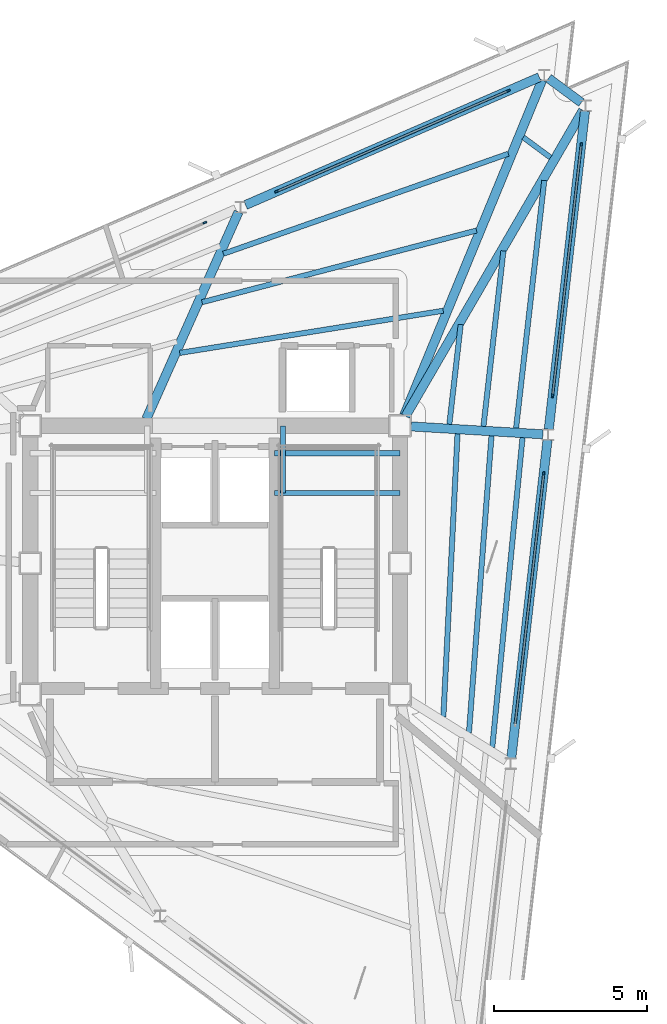
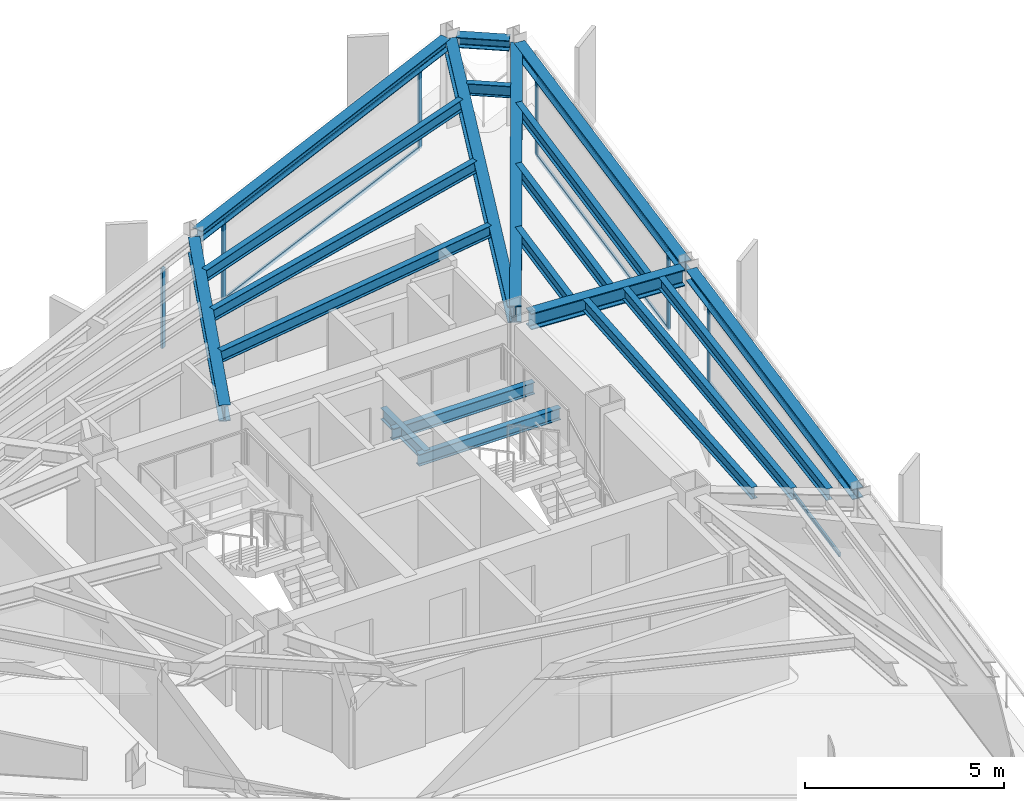
# One storey, part 4 of 9: 21 beams, 12 members, 4 elements without a shape of their own.
"""IFC4 building model written with IfcOpenShell, lengths in metres."""

from ifc_helpers import new_model, si_unit, direction, frame, origin, origin_2d, place, context, subcontext, project, spatial, rectangle, i_section, extrude, material, layer, layer_set, material_profile, profile_set, type_object, element, aggregate, save


model = new_model("IFC4")

# Units and contexts
model_context = context("Model", 3, precision=1e-05, world=origin(), true_north=direction((0.0, 1.0)))
body_context = subcontext(model_context, "Body", "Model", "MODEL_VIEW")
ifc_project = project(units=[si_unit("LENGTHUNIT", "METRE"), si_unit("AREAUNIT", "SQUARE_METRE"), si_unit("VOLUMEUNIT", "CUBIC_METRE"), si_unit("PLANEANGLEUNIT", "RADIAN"), si_unit("MASSUNIT", "GRAM", prefix="KILO")], contexts=[model_context])

# Site, building, storey
site_placement = place(None, origin())
site = spatial("IfcSite", under=ifc_project, at=site_placement, CompositionType="ELEMENT")
building_placement = place(site_placement, origin())
building = spatial("IfcBuilding", under=site, at=building_placement, Name="Rocaltana Carrier Exchange", CompositionType="ELEMENT")
storey_placement = place(building_placement, frame((0.0, 0.0, 233.1201171875)))
storey = spatial("IfcBuildingStorey", under=building, at=storey_placement, Name="L74", CompositionType="ELEMENT", Elevation=233.1201171875)

# Curtain wall, member
ifc_material_1 = material(Name="Aluminium 6063-T6", Category="aluminium")
ifc_layer = layer(ifc_material_1, 0.1201171875)
ifc_layer_set = layer_set([ifc_layer], Name="Aluminium 6063-T6")
curtain_wall_type = type_object("IfcCurtainWallType", Name="High-Altitude Thermal Curtain Wall CW-05", PredefinedType="NOTDEFINED", material=ifc_layer_set)
curtain_wall_1_placement = place(storey_placement, origin())
curtain_wall_1 = element("IfcCurtainWall", 1, at=curtain_wall_1_placement, inside=storey, type_object=curtain_wall_type, Name="L74 CW-05 Run CW-L74-F1S2", PredefinedType="NOTDEFINED")
ifc_material_2 = material(Name="Aluminium 6063-T6", Category="aluminium")
ifc_material_profile_1 = material_profile(ifc_material_2, rectangle(XDim=0.06005859375, YDim=0.1201171875, at=origin_2d()), Name="AL-60X120")
ifc_profile_set_1 = profile_set([ifc_material_profile_1], Name="Aluminium 6063-T6")
member_type_1 = type_object("IfcMemberType", Name="CW-05 Mullion AL-60X120", PredefinedType="MULLION", material=ifc_profile_set_1)
member_1_placement = place(storey_placement, frame((10.756591796875, 2.93798828125, 0.0), z_axis=(0.0, 0.0, 1.0), x_axis=(-0.993571216652, 0.113208822277, 0.0)))
member_1 = element("IfcMember", 2, at=member_1_placement, type_object=member_type_1, Name="CW-05 mullion 2", PredefinedType="MULLION", context=body_context, shape_type="SweptSolid", body=[
    extrude(rectangle(XDim=0.06005859375, YDim=0.1201171875, at=origin_2d()), origin(), (0.0, 0.0, 1.0), 2.447998046875),
])

# Curtain wall, members
curtain_wall_2_placement = place(storey_placement, origin())
curtain_wall_2 = element("IfcCurtainWall", 3, at=curtain_wall_2_placement, inside=storey, type_object=curtain_wall_type, Name="L74 CW-05 Run CW-L74-F1S3", PredefinedType="NOTDEFINED")
member_2_placement = place(storey_placement, frame((11.04638671875, 5.4814453125, 0.0), z_axis=(0.0, 0.0, 1.0), x_axis=(-0.993572566365, 0.113196975964, 0.0)))
member_2 = element("IfcMember", 4, at=member_2_placement, type_object=member_type_1, Name="CW-05 mullion 1", PredefinedType="MULLION", context=body_context, shape_type="SweptSolid", body=[
    extrude(rectangle(XDim=0.06005859375, YDim=0.1201171875, at=origin_2d()), origin(), (0.0, 0.0, 1.0), 2.447998046875),
])
member_3_placement = place(storey_placement, frame((11.98291015625, 13.70166015625, 0.0), z_axis=(0.0, 0.0, 1.0), x_axis=(-0.993572566365, 0.113196975964, 0.0)))
member_3 = element("IfcMember", 5, at=member_3_placement, type_object=member_type_1, Name="CW-05 mullion 2", PredefinedType="MULLION", context=body_context, shape_type="SweptSolid", body=[
    extrude(rectangle(XDim=0.06005859375, YDim=0.1201171875, at=origin_2d()), origin(), (0.0, 0.0, 1.0), 2.447998046875),
])

curtain_wall_3_placement = place(storey_placement, origin())
curtain_wall_3 = element("IfcCurtainWall", 6, at=curtain_wall_3_placement, inside=storey, type_object=curtain_wall_type, Name="L74 CW-05 Run CW-L74-F2S1", PredefinedType="NOTDEFINED")
member_4_placement = place(storey_placement, frame((9.599609375, 15.46533203125, 0.0), z_axis=(0.0, 0.0, 1.0), x_axis=(0.39875682637, -0.917056701313, 0.0)))
member_4 = element("IfcMember", 7, at=member_4_placement, type_object=member_type_1, Name="CW-05 mullion 1", PredefinedType="MULLION", context=body_context, shape_type="SweptSolid", body=[
    extrude(rectangle(XDim=0.06005859375, YDim=0.1201171875, at=origin_2d()), origin(), (0.0, 0.0, 1.0), 2.447998046875),
])
member_5_placement = place(storey_placement, frame((2.01220703125, 12.166259765625, 0.0), z_axis=(0.0, 0.0, 1.0), x_axis=(0.39875682637, -0.917056701313, 0.0)))
member_5 = element("IfcMember", 8, at=member_5_placement, type_object=member_type_1, Name="CW-05 mullion 2", PredefinedType="MULLION", context=body_context, shape_type="SweptSolid", body=[
    extrude(rectangle(XDim=0.06005859375, YDim=0.1201171875, at=origin_2d()), origin(), (0.0, 0.0, 1.0), 2.447998046875),
])

# Curtain wall, member
curtain_wall_4_placement = place(storey_placement, origin())
curtain_wall_4 = element("IfcCurtainWall", 9, at=curtain_wall_4_placement, inside=storey, type_object=curtain_wall_type, Name="L74 CW-05 Run CW-L74-F2S2", PredefinedType="NOTDEFINED")
member_6_placement = place(storey_placement, frame((-0.335205078125, 11.1455078125, 0.0), z_axis=(0.0, 0.0, 1.0), x_axis=(0.398752438254, -0.917058609352, 0.0)))
member_6 = element("IfcMember", 10, at=member_6_placement, type_object=member_type_1, Name="CW-05 mullion 1", PredefinedType="MULLION", context=body_context, shape_type="SweptSolid", body=[
    extrude(rectangle(XDim=0.06005859375, YDim=0.1201171875, at=origin_2d()), origin(), (0.0, 0.0, 1.0), 2.447998046875),
])
aggregate(curtain_wall_4, [member_6])

# Member
ifc_material_3 = material(Name="Aluminium 6063-T6", Category="aluminium")
ifc_material_profile_2 = material_profile(ifc_material_3, rectangle(XDim=0.06005859375, YDim=0.1201171875, at=origin_2d()), Name="AL-60X120")
ifc_profile_set_2 = profile_set([ifc_material_profile_2], Name="Aluminium 6063-T6")
member_type_2 = type_object("IfcMemberType", Name="CW-05 Transom AL-60X120", PredefinedType="USERDEFINED", material=ifc_profile_set_2)
member_7_placement = place(storey_placement, frame((9.8232421875, -5.25244140625, 0.02978515625), z_axis=(0.113220478228, 0.993569888488, 0.0), x_axis=(-0.993569888488, 0.113220478228, 0.0)))
member_7 = element("IfcMember", 11, at=member_7_placement, type_object=member_type_2, Name="CW-05 transom 1.1", ObjectType="TRANSOM", PredefinedType="USERDEFINED", context=body_context, shape_type="SweptSolid", body=[
    extrude(rectangle(XDim=0.06005859375, YDim=0.1201171875, at=origin_2d()), origin(), (0.0, 0.0, 1.0), 8.21337890625),
])

member_8_placement = place(storey_placement, frame((9.8232421875, -5.25244140625, 2.41796875), z_axis=(0.113220478228, 0.993569888488, 0.0), x_axis=(-0.993569888488, 0.113220478228, 0.0)))
member_8 = element("IfcMember", 12, at=member_8_placement, type_object=member_type_2, Name="CW-05 transom 1.2", ObjectType="TRANSOM", PredefinedType="USERDEFINED", context=body_context, shape_type="SweptSolid", body=[
    extrude(rectangle(XDim=0.06005859375, YDim=0.1201171875, at=origin_2d()), origin(), (0.0, 0.0, 1.0), 8.21337890625),
])

aggregate(curtain_wall_1, [member_1, member_7, member_8])

member_9_placement = place(storey_placement, frame((11.0498046875, 5.51123046875, 0.02978515625), z_axis=(0.113191134651, 0.993573231844, 0.0), x_axis=(-0.993573231844, 0.113191134651, 0.0)))
member_9 = element("IfcMember", 13, at=member_9_placement, type_object=member_type_2, Name="CW-05 transom 1.1", ObjectType="TRANSOM", PredefinedType="USERDEFINED", context=body_context, shape_type="SweptSolid", body=[
    extrude(rectangle(XDim=0.06005859375, YDim=0.1201171875, at=origin_2d()), origin(), (0.0, 0.0, 1.0), 8.21337890625),
])

member_10_placement = place(storey_placement, frame((11.0498046875, 5.51123046875, 2.41796875), z_axis=(0.113191134651, 0.993573231844, 0.0), x_axis=(-0.993573231844, 0.113191134651, 0.0)))
member_10 = element("IfcMember", 14, at=member_10_placement, type_object=member_type_2, Name="CW-05 transom 1.2", ObjectType="TRANSOM", PredefinedType="USERDEFINED", context=body_context, shape_type="SweptSolid", body=[
    extrude(rectangle(XDim=0.06005859375, YDim=0.1201171875, at=origin_2d()), origin(), (0.0, 0.0, 1.0), 8.21337890625),
])

aggregate(curtain_wall_2, [member_2, member_3, member_9, member_10])

member_11_placement = place(storey_placement, frame((9.572021484375, 15.453369140625, 0.02978515625), z_axis=(-0.917058241688, -0.398753283814, 0.0), x_axis=(0.398753283814, -0.917058241688, 0.0)))
member_11 = element("IfcMember", 15, at=member_11_placement, type_object=member_type_2, Name="CW-05 transom 1.1", ObjectType="TRANSOM", PredefinedType="USERDEFINED", context=body_context, shape_type="SweptSolid", body=[
    extrude(rectangle(XDim=0.06005859375, YDim=0.1201171875, at=origin_2d()), origin(), (0.0, 0.0, 1.0), 8.21337890625),
])

member_12_placement = place(storey_placement, frame((9.572021484375, 15.453369140625, 2.41796875), z_axis=(-0.917058241688, -0.398753283814, 0.0), x_axis=(0.398753283814, -0.917058241688, 0.0)))
member_12 = element("IfcMember", 16, at=member_12_placement, type_object=member_type_2, Name="CW-05 transom 1.2", ObjectType="TRANSOM", PredefinedType="USERDEFINED", context=body_context, shape_type="SweptSolid", body=[
    extrude(rectangle(XDim=0.06005859375, YDim=0.1201171875, at=origin_2d()), origin(), (0.0, 0.0, 1.0), 8.21337890625),
])

aggregate(curtain_wall_3, [member_4, member_5, member_11, member_12])

# Beams
ifc_material_4 = material(Name="Steel S355", Category="steel")
ifc_material_profile_3 = material_profile(ifc_material_4, i_section(OverallWidth=0.172119140625, OverallDepth=0.35791015625, WebThickness=0.0078125, FlangeThickness=0.01318359375, FilletRadius=0.011962890625, at=origin_2d()), Name="W14X38")
ifc_profile_set_3 = profile_set([ifc_material_profile_3], Name="Steel S355")
beam_type_1 = type_object("IfcBeamType", Name="Floor Joist W14X38", PredefinedType="JOIST", material=ifc_profile_set_3)
for number, where, z_axis, x_axis, name in (
    (17, (1.93994140625, 2.300048828125, 1.140869140625), (1.0, 0.0, 0.0), (0.0, 1.0, 0.0), "L74 ST-2 Landing Carrier 1"),
    (18, (1.93994140625, 3.60009765625, 1.140869140625), (1.0, 0.0, 0.0), (0.0, 1.0, 0.0), "L74 ST-2 Landing Carrier 2"),
):
    element("IfcBeam", number, at=place(storey_placement, frame(where, z_axis=z_axis, x_axis=x_axis)), inside=storey, type_object=beam_type_1, Name=name, PredefinedType="JOIST", context=body_context, shape_type="SweptSolid", body=[
        extrude(i_section(OverallWidth=0.172119140625, OverallDepth=0.35791015625, WebThickness=0.0078125, FlangeThickness=0.01318359375, FilletRadius=0.011962890625, at=origin_2d()), origin(), (0.0, 0.0, 1.0), 4.110107421875),
    ])
beam_1_placement = place(storey_placement, frame((2.219970703125, 2.300048828125, 1.140869140625), z_axis=(0.0, 1.0, 0.0), x_axis=(-1.0, 0.0, 0.0)))
element("IfcBeam", 19, at=beam_1_placement, inside=storey, type_object=beam_type_1, Name="L74 ST-2 Landing Cross Trimmer", PredefinedType="JOIST", context=body_context, shape_type="SweptSolid", body=[
    extrude(i_section(OverallWidth=0.172119140625, OverallDepth=0.35791015625, WebThickness=0.0078125, FlangeThickness=0.01318359375, FilletRadius=0.011962890625, at=origin_2d()), origin(), (0.0, 0.0, 1.0), 2.199951171875),
])
beam_2_placement = place(storey_placement, frame((7.470947265625, -5.03515625, 2.618896484375), z_axis=(0.049933684641, 0.998752535485, 0.0), x_axis=(-0.998752535485, 0.049933684641, 0.0)))
element("IfcBeam", 20, at=beam_2_placement, inside=storey, type_object=beam_type_1, Name="FJ-L74-02-1", PredefinedType="JOIST", context=body_context, shape_type="SweptSolid", body=[
    extrude(i_section(OverallWidth=0.172119140625, OverallDepth=0.35791015625, WebThickness=0.0078125, FlangeThickness=0.01318359375, FilletRadius=0.011962890625, at=origin_2d()), origin(), (0.0, 0.0, 1.0), 9.28955078125),
])
beam_3_placement = place(storey_placement, frame((8.308349609375, -5.553955078125, 2.618896484375), z_axis=(0.075705441131, 0.997130225288, 0.0), x_axis=(-0.997130225288, 0.075705441131, 0.0)))
element("IfcBeam", 21, at=beam_3_placement, inside=storey, type_object=beam_type_1, Name="FJ-L74-02-2", PredefinedType="JOIST", context=body_context, shape_type="SweptSolid", body=[
    extrude(i_section(OverallWidth=0.172119140625, OverallDepth=0.35791015625, WebThickness=0.0078125, FlangeThickness=0.01318359375, FilletRadius=0.011962890625, at=origin_2d()), origin(), (0.0, 0.0, 1.0), 9.758544921875),
])
beam_4_placement = place(storey_placement, frame((9.07275390625, -6.027587890625, 2.618896484375), z_axis=(0.097138741589, 0.995270850011, 0.0), x_axis=(-0.995270850011, 0.097138741589, 0.0)))
element("IfcBeam", 22, at=beam_4_placement, inside=storey, type_object=beam_type_1, Name="FJ-L74-02-3", PredefinedType="JOIST", context=body_context, shape_type="SweptSolid", body=[
    extrude(i_section(OverallWidth=0.172119140625, OverallDepth=0.35791015625, WebThickness=0.0078125, FlangeThickness=0.01318359375, FilletRadius=0.011962890625, at=origin_2d()), origin(), (0.0, 0.0, 1.0), 10.19140625),
])
beam_5_placement = place(storey_placement, frame((7.667236328125, 4.54736328125, 2.618896484375), z_axis=(0.113203016028, 0.993571878206, 0.0), x_axis=(-0.993571878206, 0.113203016028, 0.0)))
element("IfcBeam", 23, at=beam_5_placement, inside=storey, type_object=beam_type_1, Name="FJ-L74-03-1", PredefinedType="JOIST", context=body_context, shape_type="SweptSolid", body=[
    extrude(i_section(OverallWidth=0.172119140625, OverallDepth=0.35791015625, WebThickness=0.0078125, FlangeThickness=0.01318359375, FilletRadius=0.011962890625, at=origin_2d()), origin(), (0.0, 0.0, 1.0), 3.286865234375),
])
beam_6_placement = place(storey_placement, frame((8.783203125, 4.48046875, 2.618896484375), z_axis=(0.113185542157, 0.993573868943, 0.0), x_axis=(-0.993573868943, 0.113185542157, 0.0)))
element("IfcBeam", 24, at=beam_6_placement, inside=storey, type_object=beam_type_1, Name="FJ-L74-03-2", PredefinedType="JOIST", context=body_context, shape_type="SweptSolid", body=[
    extrude(i_section(OverallWidth=0.172119140625, OverallDepth=0.35791015625, WebThickness=0.0078125, FlangeThickness=0.01318359375, FilletRadius=0.011962890625, at=origin_2d()), origin(), (0.0, 0.0, 1.0), 5.778564453125),
])
beam_7_placement = place(storey_placement, frame((9.850341796875, 4.41650390625, 2.618896484375), z_axis=(0.113215051584, 0.993570506856, 0.0), x_axis=(-0.993570506856, 0.113215051584, 0.0)))
element("IfcBeam", 25, at=beam_7_placement, inside=storey, type_object=beam_type_1, Name="FJ-L74-03-3", PredefinedType="JOIST", context=body_context, shape_type="SweptSolid", body=[
    extrude(i_section(OverallWidth=0.172119140625, OverallDepth=0.35791015625, WebThickness=0.0078125, FlangeThickness=0.01318359375, FilletRadius=0.011962890625, at=origin_2d()), origin(), (0.0, 0.0, 1.0), 8.162109375),
])
beam_8_placement = place(storey_placement, frame((10.978759765625, 13.278564453125, 2.618896484375), z_axis=(-0.803783025316, 0.594922556484, 0.0), x_axis=(-0.594922556484, -0.803783025316, 0.0)))
element("IfcBeam", 26, at=beam_8_placement, inside=storey, type_object=beam_type_1, Name="FJ-L74-04-3", PredefinedType="JOIST", context=body_context, shape_type="SweptSolid", body=[
    extrude(i_section(OverallWidth=0.172119140625, OverallDepth=0.35791015625, WebThickness=0.0078125, FlangeThickness=0.01318359375, FilletRadius=0.011962890625, at=origin_2d()), origin(), (0.0, 0.0, 1.0), 1.1103515625),
])
beam_9_placement = place(storey_placement, frame((7.466552734375, 8.26416015625, 2.618896484375), z_axis=(-0.987434349957, -0.158029758352, 0.0), x_axis=(0.158029758352, -0.987434349957, 0.0)))
element("IfcBeam", 27, at=beam_9_placement, inside=storey, type_object=beam_type_1, Name="FJ-L74-05-1", PredefinedType="JOIST", context=body_context, shape_type="SweptSolid", body=[
    extrude(i_section(OverallWidth=0.172119140625, OverallDepth=0.35791015625, WebThickness=0.0078125, FlangeThickness=0.01318359375, FilletRadius=0.011962890625, at=origin_2d()), origin(), (0.0, 0.0, 1.0), 8.731689453125),
])
beam_10_placement = place(storey_placement, frame((8.5556640625, 10.889892578125, 2.618896484375), z_axis=(-0.967527830679, -0.252764508708, 0.0), x_axis=(0.252764508708, -0.967527830679, 0.0)))
element("IfcBeam", 28, at=beam_10_placement, inside=storey, type_object=beam_type_1, Name="FJ-L74-05-2", PredefinedType="JOIST", context=body_context, shape_type="SweptSolid", body=[
    extrude(i_section(OverallWidth=0.172119140625, OverallDepth=0.35791015625, WebThickness=0.0078125, FlangeThickness=0.01318359375, FilletRadius=0.011962890625, at=origin_2d()), origin(), (0.0, 0.0, 1.0), 9.2822265625),
])
beam_11_placement = place(storey_placement, frame((9.598388671875, 13.4033203125, 2.618896484375), z_axis=(-0.943534028817, -0.331275620087, 0.0), x_axis=(0.331275620087, -0.943534028817, 0.0)))
element("IfcBeam", 29, at=beam_11_placement, inside=storey, type_object=beam_type_1, Name="FJ-L74-05-3", PredefinedType="JOIST", context=body_context, shape_type="SweptSolid", body=[
    extrude(i_section(OverallWidth=0.172119140625, OverallDepth=0.35791015625, WebThickness=0.0078125, FlangeThickness=0.01318359375, FilletRadius=0.011962890625, at=origin_2d()), origin(), (0.0, 0.0, 1.0), 9.883544921875),
])
ifc_material_5 = material(Name="Steel S355", Category="steel")
ifc_material_profile_4 = material_profile(ifc_material_5, i_section(OverallWidth=0.300048828125, OverallDepth=0.320068359375, WebThickness=0.011474609375, FlangeThickness=0.0205078125, FilletRadius=0.027099609375, at=origin_2d()), Name="HEB320")
ifc_profile_set_4 = profile_set([ifc_material_profile_4], Name="Steel S355")
beam_type_2 = type_object("IfcBeamType", Name="Spandrel Edge Beam HEB320", PredefinedType="SPANDREL", material=ifc_profile_set_4)
for number, where, z_axis, x_axis, name in (
    (30, (9.694580078125, -6.381103515625, 2.637939453125), (0.113206425365, 0.993571489756, 0.0), (-0.993571489756, 0.113206425365, 0.0), "SP-L74-02"),
    (31, (10.921142578125, 4.382568359375, 2.637939453125), (0.113183439753, 0.993574108442, 0.0), (-0.993574108442, 0.113183439753, 0.0), "SP-L74-03"),
):
    element("IfcBeam", number, at=place(storey_placement, frame(where, z_axis=z_axis, x_axis=x_axis)), inside=storey, type_object=beam_type_2, Name=name, PredefinedType="SPANDREL", context=body_context, shape_type="SweptSolid", body=[
        extrude(i_section(OverallWidth=0.300048828125, OverallDepth=0.320068359375, WebThickness=0.011474609375, FlangeThickness=0.0205078125, FilletRadius=0.027099609375, at=origin_2d()), origin(), (0.0, 0.0, 1.0), 10.4853515625),
    ])
beam_12_placement = place(storey_placement, frame((11.98779296875, 15.076904296875, 2.637939453125), z_axis=(-0.80388381105, 0.594786363605, 0.0), x_axis=(-0.594786363605, -0.80388381105, 0.0)))
element("IfcBeam", 32, at=beam_12_placement, inside=storey, type_object=beam_type_2, Name="SP-L74-04", PredefinedType="SPANDREL", context=body_context, shape_type="SweptSolid", body=[
    extrude(i_section(OverallWidth=0.300048828125, OverallDepth=0.320068359375, WebThickness=0.011474609375, FlangeThickness=0.0205078125, FilletRadius=0.027099609375, at=origin_2d()), origin(), (0.0, 0.0, 1.0), 1.3369140625),
])
beam_13_placement = place(storey_placement, frame((10.61376953125, 15.90625, 2.637939453125), z_axis=(-0.917055989154, -0.398758464182, 0.0), x_axis=(0.398758464182, -0.917055989154, 0.0)))
element("IfcBeam", 33, at=beam_13_placement, inside=storey, type_object=beam_type_2, Name="SP-L74-05", PredefinedType="SPANDREL", context=body_context, shape_type="SweptSolid", body=[
    extrude(i_section(OverallWidth=0.300048828125, OverallDepth=0.320068359375, WebThickness=0.011474609375, FlangeThickness=0.0205078125, FilletRadius=0.027099609375, at=origin_2d()), origin(), (0.0, 0.0, 1.0), 10.4853515625),
])
ifc_material_6 = material(Name="Steel S355", Category="steel")
ifc_material_profile_5 = material_profile(ifc_material_6, i_section(OverallWidth=0.300048828125, OverallDepth=0.5, WebThickness=0.014404296875, FlangeThickness=0.028076171875, FilletRadius=0.027099609375, at=origin_2d()), Name="HEB500")
ifc_profile_set_5 = profile_set([ifc_material_profile_5], Name="Steel S355")
beam_type_3 = type_object("IfcBeamType", Name="Upper Radial Girder HEB500", PredefinedType="BEAM", material=ifc_profile_set_5)
beam_14_placement = place(storey_placement, frame((6.416259765625, 4.47802734375, 2.5478515625), z_axis=(0.998216990301, -0.059689532376, 0.0), x_axis=(0.059689532376, 0.998216990301, 0.0)))
element("IfcBeam", 34, at=beam_14_placement, inside=storey, type_object=beam_type_3, Name="RG-L74-03", PredefinedType="BEAM", context=body_context, shape_type="SweptSolid", body=[
    extrude(i_section(OverallWidth=0.300048828125, OverallDepth=0.5, WebThickness=0.014404296875, FlangeThickness=0.028076171875, FilletRadius=0.027099609375, at=origin_2d()), origin(), (0.0, 0.0, 1.0), 4.3193359375),
])
beam_15_placement = place(storey_placement, frame((6.234130859375, 4.8173828125, 2.5478515625), z_axis=(0.501905371074, 0.86492253901, 0.0), x_axis=(-0.86492253901, 0.501905371074, 0.0)))
element("IfcBeam", 35, at=beam_15_placement, inside=storey, type_object=beam_type_3, Name="RG-L74-04", PredefinedType="BEAM", context=body_context, shape_type="SweptSolid", body=[
    extrude(i_section(OverallWidth=0.300048828125, OverallDepth=0.5, WebThickness=0.014404296875, FlangeThickness=0.028076171875, FilletRadius=0.027099609375, at=origin_2d()), origin(), (0.0, 0.0, 1.0), 11.568115234375),
])
beam_16_placement = place(storey_placement, frame((6.189697265625, 4.83935546875, 2.5478515625), z_axis=(0.380611164855, 0.924735173543, 0.0), x_axis=(-0.924735173543, 0.380611164855, 0.0)))
element("IfcBeam", 36, at=beam_16_placement, inside=storey, type_object=beam_type_3, Name="RG-L74-05", PredefinedType="BEAM", context=body_context, shape_type="SweptSolid", body=[
    extrude(i_section(OverallWidth=0.300048828125, OverallDepth=0.5, WebThickness=0.014404296875, FlangeThickness=0.028076171875, FilletRadius=0.027099609375, at=origin_2d()), origin(), (0.0, 0.0, 1.0), 11.86865234375),
])
beam_17_placement = place(storey_placement, frame((-2.25146484375, 4.720947265625, 2.5478515625), z_axis=(0.406987211438, 0.91343385624, 0.0), x_axis=(-0.91343385624, 0.406987211438, 0.0)))
element("IfcBeam", 37, at=beam_17_placement, inside=storey, type_object=beam_type_3, Name="RG-L74-06", PredefinedType="BEAM", context=body_context, shape_type="SweptSolid", body=[
    extrude(i_section(OverallWidth=0.300048828125, OverallDepth=0.5, WebThickness=0.014404296875, FlangeThickness=0.028076171875, FilletRadius=0.027099609375, at=origin_2d()), origin(), (0.0, 0.0, 1.0), 7.41796875),
])

save(model, "model.ifc")
